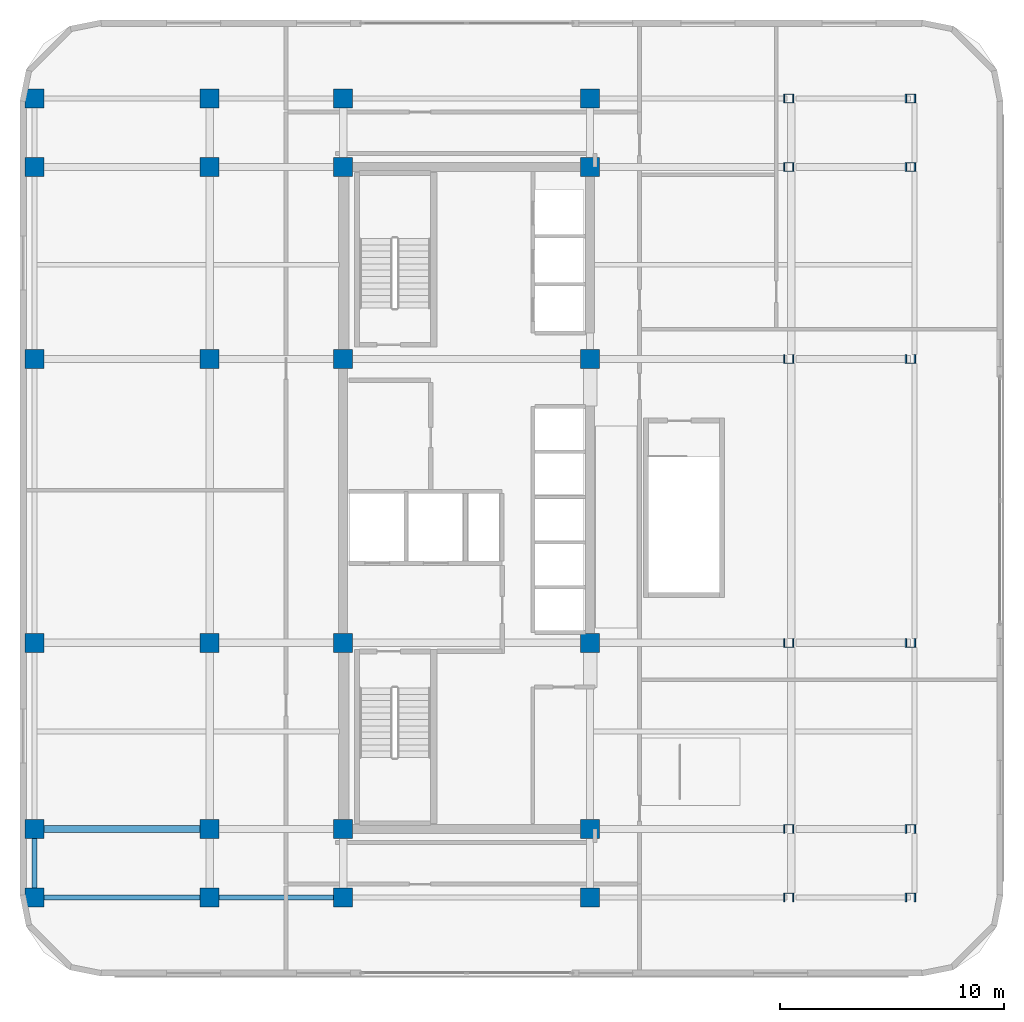
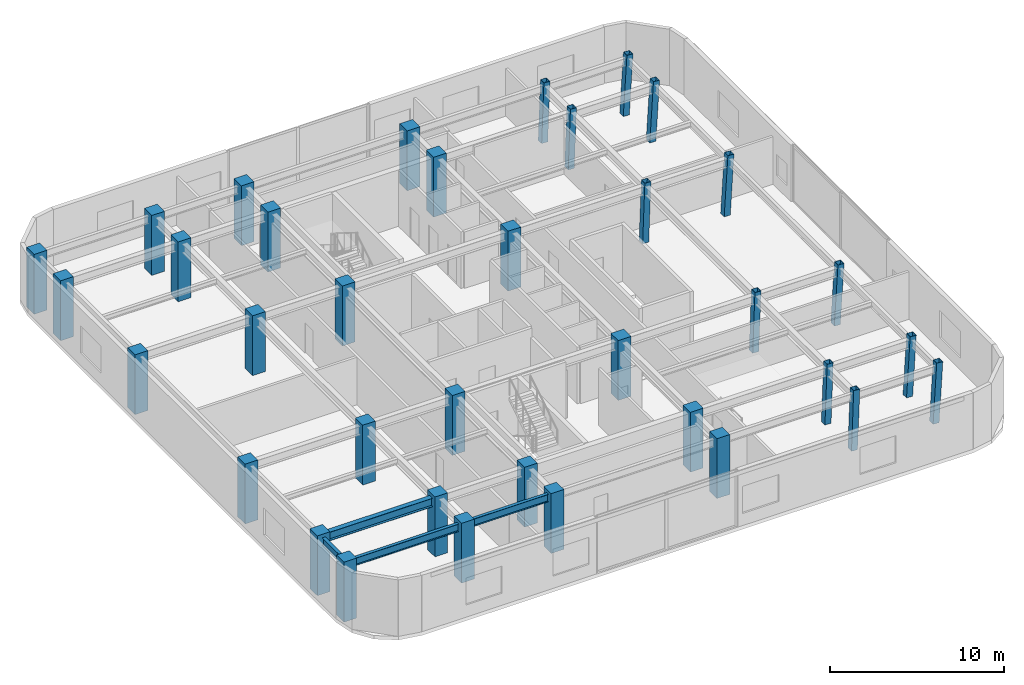
# One storey, part 1 of 12: 36 columns, 4 beams.
"""IFC4 building model written with IfcOpenShell, lengths in metres."""

from ifc_helpers import new_model, si_unit, direction, frame, origin, origin_2d, place, context, subcontext, project, spatial, rectangle, hollow_rectangle, i_section, extrude, material, material_profile, profile_set, type_object, element, save


model = new_model("IFC4")

# Units and contexts
model_context = context("Model", 3, precision=1e-05, world=origin(), true_north=direction((0.0, 1.0)))
body_context = subcontext(model_context, "Body", "Model", "MODEL_VIEW")
ifc_project = project(units=[si_unit("LENGTHUNIT", "METRE"), si_unit("AREAUNIT", "SQUARE_METRE"), si_unit("VOLUMEUNIT", "CUBIC_METRE"), si_unit("PLANEANGLEUNIT", "RADIAN"), si_unit("MASSUNIT", "GRAM", prefix="KILO")], contexts=[model_context])

# Site, building, storey
site_placement = place(None, origin())
site = spatial("IfcSite", under=ifc_project, at=site_placement, CompositionType="ELEMENT")
building_placement = place(site_placement, origin())
building = spatial("IfcBuilding", under=site, at=building_placement, Name="Ochreholt Gables", CompositionType="ELEMENT")
storey_placement = place(building_placement, frame((0.0, 0.0, 117.0)))
storey = spatial("IfcBuildingStorey", under=building, at=storey_placement, Name="L30", CompositionType="ELEMENT", Elevation=117.0)

# Columns
ifc_material_1 = material(Name="Steel CSA G40.21 350W", Category="steel")
ifc_material_profile_1 = material_profile(ifc_material_1, hollow_rectangle(XDim=0.406005859375, YDim=0.406005859375, WallThickness=0.01611328125, at=origin_2d()), Name="HSS406X406X16")
ifc_profile_set_1 = profile_set([ifc_material_profile_1], Name="Steel CSA G40.21 350W")
column_type_1 = type_object("IfcColumnType", Name="COL-HSS406-RAK", PredefinedType="COLUMN", material=ifc_profile_set_1)
for number, where, z_axis, x_axis, name in (
    (1, (44.031005859375, 9.25, 0.0), (0.034972489785, 0.0, 0.999388275376), (0.0, 1.0, 0.0), "L30 Column EMY2"),
    (2, (44.031005859375, 17.550048828125, 0.0), (0.034972489785, 0.0, 0.999388275376), (0.0, 1.0, 0.0), "L30 Column EMY3"),
    (3, (44.031005859375, 30.199951171875, 0.0), (0.034972489785, 0.0, 0.999388275376), (0.0, 1.0, 0.0), "L30 Column EMY4"),
    (4, (44.031005859375, 38.75, 0.0), (0.034972489785, 0.0, 0.999388275376), (0.0, 1.0, 0.0), "L30 Column EMY5"),
):
    element("IfcColumn", number, at=place(storey_placement, frame(where, z_axis=z_axis, x_axis=x_axis)), inside=storey, type_object=column_type_1, Name=name, PredefinedType="COLUMN", context=body_context, shape_type="SweptSolid", body=[
        extrude(hollow_rectangle(XDim=0.406005859375, YDim=0.406005859375, WallThickness=0.01611328125, at=origin_2d()), origin(), (0.0, 0.0, 1.0), 4.20263671875),
    ])
ifc_material_profile_2 = material_profile(ifc_material_1, hollow_rectangle(XDim=0.406005859375, YDim=0.406005859375, WallThickness=0.01611328125, at=origin_2d()), Name="HSS406X406X16")
ifc_profile_set_2 = profile_set([ifc_material_profile_2], Name="Steel CSA G40.21 350W")
column_type_2 = type_object("IfcColumnType", Name="COL-HSS406-RAKE", PredefinedType="COLUMN", material=ifc_profile_set_2)
for number, where, z_axis, x_axis, name in (
    (5, (44.031005859375, 6.199951171875, 0.0), (0.034972489785, 0.0, 0.999388275376), (0.0, 1.0, 0.0), "L30 Column EMY1"),
    (6, (44.031005859375, 41.800048828125, 0.0), (0.034972489785, 0.0, 0.999388275376), (0.0, 1.0, 0.0), "L30 Column EMY6"),
):
    element("IfcColumn", number, at=place(storey_placement, frame(where, z_axis=z_axis, x_axis=x_axis)), inside=storey, type_object=column_type_2, Name=name, PredefinedType="COLUMN", context=body_context, shape_type="SweptSolid", body=[
        extrude(hollow_rectangle(XDim=0.406005859375, YDim=0.406005859375, WallThickness=0.01611328125, at=origin_2d()), origin(), (0.0, 0.0, 1.0), 4.20263671875),
    ])
for number, where, z_axis, x_axis, name in (
    (7, (49.44287109375, 6.199951171875, 0.0), (0.057857923198, 0.0, 0.99832482726), (0.0, 1.0, 0.0), "L30 Column EEY1"),
    (8, (49.44287109375, 9.25, 0.0), (0.057857923198, 0.0, 0.99832482726), (0.0, 1.0, 0.0), "L30 Column EEY2"),
    (9, (49.44287109375, 17.550048828125, 0.0), (0.057857923198, 0.0, 0.99832482726), (0.0, 1.0, 0.0), "L30 Column EEY3"),
    (10, (49.44287109375, 30.199951171875, 0.0), (0.057857923198, 0.0, 0.99832482726), (0.0, 1.0, 0.0), "L30 Column EEY4"),
    (11, (49.44287109375, 38.75, 0.0), (0.057857923198, 0.0, 0.99832482726), (0.0, 1.0, 0.0), "L30 Column EEY5"),
    (12, (49.44287109375, 41.800048828125, 0.0), (0.057857923198, 0.0, 0.99832482726), (0.0, 1.0, 0.0), "L30 Column EEY6"),
):
    element("IfcColumn", number, at=place(storey_placement, frame(where, z_axis=z_axis, x_axis=x_axis)), inside=storey, type_object=column_type_2, Name=name, PredefinedType="COLUMN", context=body_context, shape_type="SweptSolid", body=[
        extrude(hollow_rectangle(XDim=0.406005859375, YDim=0.406005859375, WallThickness=0.01611328125, at=origin_2d()), origin(), (0.0, 0.0, 1.0), 4.20703125),
    ])
ifc_material_2 = material(Name="Concrete 60 MPa", Category="concrete")
ifc_material_profile_3 = material_profile(ifc_material_2, rectangle(XDim=0.85009765625, YDim=0.85009765625, at=origin_2d()), Name="RC850X850")
ifc_profile_set_3 = profile_set([ifc_material_profile_3], Name="Concrete 60 MPa")
column_type_3 = type_object("IfcColumnType", Name="COL-RC850-EXT", PredefinedType="COLUMN", material=ifc_profile_set_3)
for number, where, z_axis, x_axis, name in (
    (13, (10.449951171875, 6.199951171875, 0.0), (0.0, 0.0, 1.0), (1.0, 0.0, 0.0), "L30 Column W2Y1"),
    (14, (10.449951171875, 9.25, 0.0), (0.0, 0.0, 1.0), (1.0, 0.0, 0.0), "L30 Column W2Y2"),
    (15, (10.449951171875, 17.550048828125, 0.0), (0.0, 0.0, 1.0), (1.0, 0.0, 0.0), "L30 Column W2Y3"),
    (16, (10.449951171875, 30.199951171875, 0.0), (0.0, 0.0, 1.0), (1.0, 0.0, 0.0), "L30 Column W2Y4"),
    (17, (10.449951171875, 38.75, 0.0), (0.0, 0.0, 1.0), (1.0, 0.0, 0.0), "L30 Column W2Y5"),
    (18, (10.449951171875, 41.800048828125, 0.0), (0.0, 0.0, 1.0), (1.0, 0.0, 0.0), "L30 Column W2Y6"),
    (19, (18.25, 6.199951171875, 0.0), (0.0, 0.0, 1.0), (1.0, 0.0, 0.0), "L30 Column W3Y1"),
    (20, (18.25, 41.800048828125, 0.0), (0.0, 0.0, 1.0), (1.0, 0.0, 0.0), "L30 Column W3Y6"),
    (21, (24.199951171875, 6.199951171875, 0.0), (0.0, 0.0, 1.0), (1.0, 0.0, 0.0), "L30 Column C1Y1"),
    (22, (24.199951171875, 41.800048828125, 0.0), (0.0, 0.0, 1.0), (1.0, 0.0, 0.0), "L30 Column C1Y6"),
    (23, (35.199951171875, 6.199951171875, 0.0), (0.0, 0.0, 1.0), (1.0, 0.0, 0.0), "L30 Column C2Y1"),
    (24, (35.199951171875, 41.800048828125, 0.0), (0.0, 0.0, 1.0), (1.0, 0.0, 0.0), "L30 Column C2Y6"),
):
    element("IfcColumn", number, at=place(storey_placement, frame(where, z_axis=z_axis, x_axis=x_axis)), inside=storey, type_object=column_type_3, Name=name, PredefinedType="COLUMN", context=body_context, shape_type="SweptSolid", body=[
        extrude(rectangle(XDim=0.85009765625, YDim=0.85009765625, at=origin_2d()), origin(), (0.0, 0.0, 1.0), 4.199951171875),
    ])
ifc_material_profile_4 = material_profile(ifc_material_2, rectangle(XDim=0.85009765625, YDim=0.85009765625, at=origin_2d()), Name="RC850X850")
ifc_profile_set_4 = profile_set([ifc_material_profile_4], Name="Concrete 60 MPa")
column_type_4 = type_object("IfcColumnType", Name="COL-RC850-INT", PredefinedType="COLUMN", material=ifc_profile_set_4)
for number, where, z_axis, x_axis, name in (
    (25, (18.25, 9.25, 0.0), (0.0, 0.0, 1.0), (1.0, 0.0, 0.0), "L30 Column W3Y2"),
    (26, (18.25, 17.550048828125, 0.0), (0.0, 0.0, 1.0), (1.0, 0.0, 0.0), "L30 Column W3Y3"),
    (27, (18.25, 30.199951171875, 0.0), (0.0, 0.0, 1.0), (1.0, 0.0, 0.0), "L30 Column W3Y4"),
    (28, (18.25, 38.75, 0.0), (0.0, 0.0, 1.0), (1.0, 0.0, 0.0), "L30 Column W3Y5"),
    (29, (24.199951171875, 9.25, 0.0), (0.0, 0.0, 1.0), (1.0, 0.0, 0.0), "L30 Column C1Y2"),
    (30, (24.199951171875, 17.550048828125, 0.0), (0.0, 0.0, 1.0), (1.0, 0.0, 0.0), "L30 Column C1Y3"),
    (31, (24.199951171875, 30.199951171875, 0.0), (0.0, 0.0, 1.0), (1.0, 0.0, 0.0), "L30 Column C1Y4"),
    (32, (24.199951171875, 38.75, 0.0), (0.0, 0.0, 1.0), (1.0, 0.0, 0.0), "L30 Column C1Y5"),
    (33, (35.199951171875, 9.25, 0.0), (0.0, 0.0, 1.0), (1.0, 0.0, 0.0), "L30 Column C2Y2"),
    (34, (35.199951171875, 17.550048828125, 0.0), (0.0, 0.0, 1.0), (1.0, 0.0, 0.0), "L30 Column C2Y3"),
    (35, (35.199951171875, 30.199951171875, 0.0), (0.0, 0.0, 1.0), (1.0, 0.0, 0.0), "L30 Column C2Y4"),
    (36, (35.199951171875, 38.75, 0.0), (0.0, 0.0, 1.0), (1.0, 0.0, 0.0), "L30 Column C2Y5"),
):
    element("IfcColumn", number, at=place(storey_placement, frame(where, z_axis=z_axis, x_axis=x_axis)), inside=storey, type_object=column_type_4, Name=name, PredefinedType="COLUMN", context=body_context, shape_type="SweptSolid", body=[
        extrude(rectangle(XDim=0.85009765625, YDim=0.85009765625, at=origin_2d()), origin(), (0.0, 0.0, 1.0), 4.199951171875),
    ])

# Beams
ifc_material_profile_5 = material_profile(ifc_material_1, i_section(OverallWidth=0.323974609375, OverallDepth=0.611083984375, WebThickness=0.0126953125, FlangeThickness=0.01904296875, at=origin_2d()), Name="W610X155")
ifc_profile_set_5 = profile_set([ifc_material_profile_5], Name="Steel CSA G40.21 350W")
beam_type_1 = type_object("IfcBeamType", Name="BM-G-W610A", PredefinedType="BEAM", material=ifc_profile_set_5)
beam_1_placement = place(storey_placement, frame((10.87451171875, 9.25, 3.654541015625), z_axis=(1.0, 0.0, 0.0), x_axis=(0.0, 1.0, 0.0)))
element("IfcBeam", 37, at=beam_1_placement, inside=storey, type_object=beam_type_1, Name="L30 Beam TBG-L30-W2W3-Y2", PredefinedType="BEAM", context=body_context, shape_type="SweptSolid", body=[
    extrude(i_section(OverallWidth=0.323974609375, OverallDepth=0.611083984375, WebThickness=0.0126953125, FlangeThickness=0.01904296875, at=origin_2d()), origin(), (0.0, 0.0, 1.0), 6.950927734375),
])
ifc_material_profile_6 = material_profile(ifc_material_1, i_section(OverallWidth=0.208984375, OverallDepth=0.532958984375, WebThickness=0.01025390625, FlangeThickness=0.015625, at=origin_2d()), Name="W530X92")
ifc_profile_set_6 = profile_set([ifc_material_profile_6], Name="Steel CSA G40.21 350W")
beam_type_2 = type_object("IfcBeamType", Name="BM-SP-W530B", PredefinedType="SPANDREL", material=ifc_profile_set_6)
beam_2_placement = place(storey_placement, frame((10.87451171875, 6.199951171875, 3.693603515625), z_axis=(1.0, 0.0, 0.0), x_axis=(0.0, 1.0, 0.0)))
element("IfcBeam", 38, at=beam_2_placement, inside=storey, type_object=beam_type_2, Name="L30 Beam TBG-L30-W2W3-Y1", PredefinedType="SPANDREL", context=body_context, shape_type="SweptSolid", body=[
    extrude(i_section(OverallWidth=0.208984375, OverallDepth=0.532958984375, WebThickness=0.01025390625, FlangeThickness=0.015625, at=origin_2d()), origin(), (0.0, 0.0, 1.0), 6.950927734375),
])
beam_3_placement = place(storey_placement, frame((18.674560546875, 6.199951171875, 3.693603515625), z_axis=(1.0, 0.0, 0.0), x_axis=(0.0, 1.0, 0.0)))
element("IfcBeam", 39, at=beam_3_placement, inside=storey, type_object=beam_type_2, Name="L30 Beam TBG-L30-W3C1-Y1", PredefinedType="SPANDREL", context=body_context, shape_type="SweptSolid", body=[
    extrude(i_section(OverallWidth=0.208984375, OverallDepth=0.532958984375, WebThickness=0.01025390625, FlangeThickness=0.015625, at=origin_2d()), origin(), (0.0, 0.0, 1.0), 5.100830078125),
])
beam_4_placement = place(storey_placement, frame((10.449951171875, 6.62451171875, 3.693603515625), z_axis=(0.0, 1.0, 0.0), x_axis=(-1.0, 0.0, 0.0)))
element("IfcBeam", 40, at=beam_4_placement, inside=storey, type_object=beam_type_2, Name="L30 Beam TBN-L30-W2-Y1Y2", PredefinedType="SPANDREL", context=body_context, shape_type="SweptSolid", body=[
    extrude(i_section(OverallWidth=0.208984375, OverallDepth=0.532958984375, WebThickness=0.01025390625, FlangeThickness=0.015625, at=origin_2d()), origin(), (0.0, 0.0, 1.0), 2.200927734375),
])

save(model, "model.ifc")
